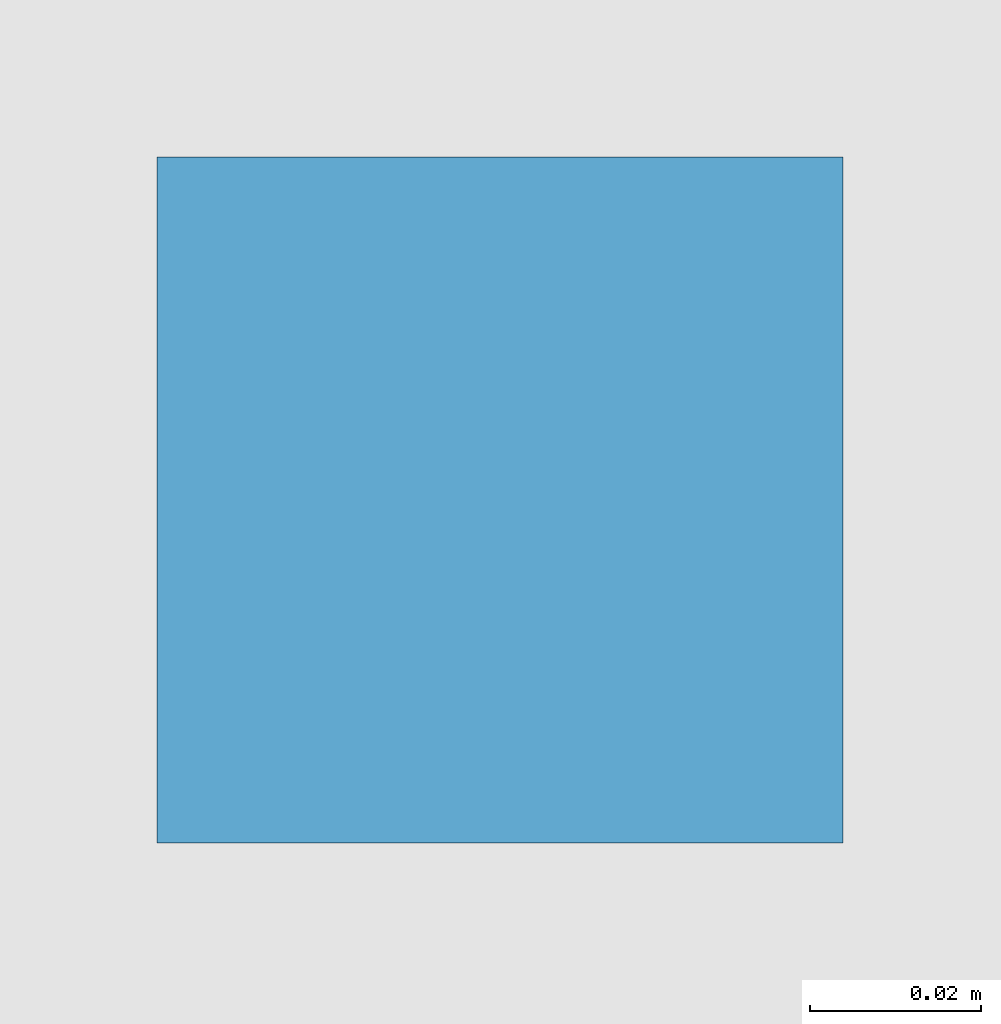
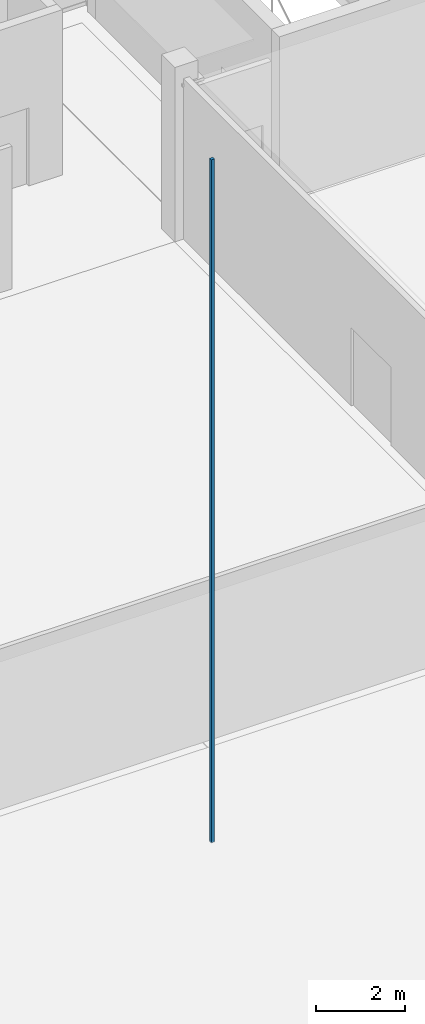
# One storey, part 90 of 116: 1 discrete accessory.
"""IFC4 building model written with IfcOpenShell, lengths in metres."""

import ifcopenshell
import ifcopenshell.guid

model = None  # the IFC model being written
_history = None  # IfcOwnerHistory: only IFC2X3 demands one
_inside = {}  # id of a spatial element -> (the spatial element, [elements in it])
_under = {}  # id of a project, library or spatial element -> (it, [spatial elements below it])
_declared = {}  # id of a project -> (the project, [libraries it declares])
_typed = {}  # id of a type object -> (the type object, [elements of that type])
_made_of = {}  # id of a material, layer set ... -> (it, [elements and type objects made of it])


def new_model(schema):
    """Start an empty IFC model of exactly this schema.

    Asked for "IFC4X3", IfcOpenShell would pick the latest addendum, in which some entities
    have other attributes; the version numbers below select the first issue.
    IFC2X3 requires an IfcOwnerHistory on every rooted entity: one is made here for all.
    """
    global model, _history
    if schema == "IFC4X3":
        model = ifcopenshell.file(schema_version=(4, 3, 0, 0))
    else:
        model = ifcopenshell.file(schema=schema)
    _inside.clear()
    _under.clear()
    _declared.clear()
    _typed.clear()
    _made_of.clear()
    _history = None
    if model.schema == "IFC2X3":
        org = make("IfcOrganization", Name="unknown")
        user = make(
            "IfcPersonAndOrganization",
            ThePerson=make("IfcPerson", FamilyName="unknown"),
            TheOrganization=org,
        )
        app = make(
            "IfcApplication",
            ApplicationDeveloper=org,
            Version="unknown",
            ApplicationFullName="unknown",
            ApplicationIdentifier="unknown",
        )
        _history = make(
            "IfcOwnerHistory",
            OwningUser=user,
            OwningApplication=app,
            ChangeAction="ADDED",
            CreationDate=0,
        )
    return model


def make(cls, **values):
    """One entity of the class cls with the attributes given. An attribute that is None is left unset."""
    return model.create_entity(
        cls, **{name: value for name, value in values.items() if value is not None}
    )


def rooted(cls, **values):
    """An entity with a GlobalId (a new one), such as an element, a storey or a relation."""
    return make(cls, GlobalId=ifcopenshell.guid.new(), OwnerHistory=_history, **values)


def si_unit(unit_type, name, prefix=None):
    """IfcSIUnit, for example si_unit("LENGTHUNIT", "METRE", prefix="MILLI")."""
    return make("IfcSIUnit", UnitType=unit_type, Prefix=prefix, Name=name)


def assignment(units):
    """IfcUnitAssignment: the units of a project."""
    return None if units is None else make("IfcUnitAssignment", Units=units)


def point(xyz):
    """IfcCartesianPoint."""
    return None if xyz is None else make("IfcCartesianPoint", Coordinates=xyz)


def direction(xyz):
    """IfcDirection."""
    return None if xyz is None else make("IfcDirection", DirectionRatios=xyz)


def frame(location, z_axis=None, x_axis=None):
    """IfcAxis2Placement3D, a coordinate frame: its origin and axes. An axis left out is left unset."""
    return make(
        "IfcAxis2Placement3D",
        Location=point(location),
        Axis=direction(z_axis),
        RefDirection=direction(x_axis),
    )


def frame_2d(location, x_axis=None):
    """IfcAxis2Placement2D, a coordinate frame in the plane: its origin and x axis."""
    return make(
        "IfcAxis2Placement2D", Location=point(location), RefDirection=direction(x_axis)
    )


def origin():
    """The frame at (0, 0, 0) with its axes left unset."""
    return frame((0.0, 0.0, 0.0))


def origin_2d():
    """The frame at (0, 0) in the plane with its x axis left unset."""
    return frame_2d((0.0, 0.0))


def place(relative_to, where):
    """IfcLocalPlacement: puts the frame where relative to a parent placement (None: the world)."""
    return make(
        "IfcLocalPlacement", PlacementRelTo=relative_to, RelativePlacement=where
    )


def context(
    kind, dimensions, precision=None, world=None, true_north=None, identifier=None
):
    """IfcGeometricRepresentationContext, for example the 3D "Model" context."""
    return make(
        "IfcGeometricRepresentationContext",
        ContextIdentifier=identifier,
        ContextType=kind,
        CoordinateSpaceDimension=dimensions,
        Precision=precision,
        WorldCoordinateSystem=world,
        TrueNorth=true_north,
    )


def subcontext(parent, identifier, kind, view, scale=None):
    """IfcGeometricRepresentationSubContext, for example "Body" below "Model"."""
    return make(
        "IfcGeometricRepresentationSubContext",
        ContextIdentifier=identifier,
        ContextType=kind,
        ParentContext=parent,
        TargetScale=scale,
        TargetView=view,
    )


def project(units=None, contexts=None):
    """IfcProject with its units and contexts."""
    return rooted(
        "IfcProject",
        Name="project",
        RepresentationContexts=contexts,
        UnitsInContext=assignment(units),
    )


def spatial(cls, under=None, at=None, **own):
    """A site, building, storey or space (cls), placed at a placement, below another one or the project."""
    s = rooted(cls, ObjectPlacement=at, **own)
    if under is not None:
        _under.setdefault(under.id(), (under, []))[1].append(s)
    return s


def profile(cls, at=None, kind="AREA", **sizes):
    """A parametric profile (cls). Its sizes go by their IFC names, for example OverallWidth=200.0."""
    return make(cls, ProfileType=kind, Position=at, **sizes)


def rectangle(**sizes):
    """IfcRectangleProfileDef."""
    return profile("IfcRectangleProfileDef", **sizes)


def extrude(swept, where, along, depth):
    """IfcExtrudedAreaSolid: the profile swept, set in the frame where, extruded along a direction by depth."""
    return make(
        "IfcExtrudedAreaSolid",
        SweptArea=swept,
        Position=where,
        ExtrudedDirection=direction(along),
        Depth=depth,
    )


def shape(context_of_items, identifier, shape_type, items):
    """IfcShapeRepresentation: the items that make up one representation, for example the "Body"."""
    return make(
        "IfcShapeRepresentation",
        ContextOfItems=context_of_items,
        RepresentationIdentifier=identifier,
        RepresentationType=shape_type,
        Items=items,
    )


def material(Name=None, Category=None):
    """IfcMaterial."""
    return make("IfcMaterial", Name=Name, Category=Category)


def made_of(thing, what):
    """Note that an element or type object is made of a material, layer set ...; save() writes the relation."""
    if what is not None:
        _made_of.setdefault(what.id(), (what, []))[1].append(thing)
    return thing


def type_object(cls, material=None, **own):
    """A type object (cls), such as IfcWallType, which elements share."""
    return made_of(rooted(cls, **own), material)


def element(
    cls,
    number,
    at=None,
    inside=None,
    cuts=None,
    type_object=None,
    material=None,
    context=None,
    identifier="Body",
    shape_type=None,
    held_by="IfcProductDefinitionShape",
    body=None,
    shapes=None,
    **own,
):
    """One element of the class cls, such as IfcWall. Its Tag is "e" and its number.

    at: its placement. inside: the storey or other place that contains it. cuts: it is an
    opening in that element (IfcRelVoidsElement). A single representation is given by context,
    identifier, shape_type and body (its items); several are given by shapes. held_by: the class
    of the entity that holds the representations. save() writes the other relations.
    """
    e = rooted(cls, Tag="e%d" % number, ObjectPlacement=at, **own)
    if body is not None:
        shapes = [shape(context, identifier, shape_type, body)]
    if shapes is not None:
        e.Representation = make(held_by, Representations=shapes)
    if inside is not None:
        _inside.setdefault(inside.id(), (inside, []))[1].append(e)
    if cuts is not None:
        rooted(
            "IfcRelVoidsElement", RelatingBuildingElement=cuts, RelatedOpeningElement=e
        )
    if type_object is not None:
        _typed.setdefault(type_object.id(), (type_object, []))[1].append(e)
    return made_of(e, material)


def aggregate(whole, parts):
    """IfcRelAggregates: a whole, such as a stair, and the parts it consists of."""
    return rooted("IfcRelAggregates", RelatingObject=whole, RelatedObjects=parts)


def save(model, path):
    """Write the relations noted so far, then the file.

    IfcRelAggregates (storeys below a building ...), IfcRelContainedInSpatialStructure (elements
    in a storey), IfcRelDefinesByType, IfcRelAssociatesMaterial and IfcRelDeclares: one each for
    every whole, place, type object, material and project.
    """
    for whole, parts in _under.values():
        aggregate(whole, parts)
    for where, things in _inside.values():
        rooted(
            "IfcRelContainedInSpatialStructure",
            RelatedElements=things,
            RelatingStructure=where,
        )
    for kind, things in _typed.values():
        rooted("IfcRelDefinesByType", RelatedObjects=things, RelatingType=kind)
    for what, things in _made_of.values():
        rooted("IfcRelAssociatesMaterial", RelatedObjects=things, RelatingMaterial=what)
    for by, libraries in _declared.values():
        rooted("IfcRelDeclares", RelatingContext=by, RelatedDefinitions=libraries)
    model.write(path)


model = new_model("IFC4")

# Units and contexts
model_context = context("Model", 3, precision=1e-05, world=origin(), true_north=direction((0.0, 1.0)))
body_context = subcontext(model_context, "Body", "Model", "MODEL_VIEW")
ifc_project = project(units=[si_unit("LENGTHUNIT", "METRE"), si_unit("AREAUNIT", "SQUARE_METRE"), si_unit("VOLUMEUNIT", "CUBIC_METRE"), si_unit("PLANEANGLEUNIT", "RADIAN"), si_unit("MASSUNIT", "GRAM", prefix="KILO")], contexts=[model_context])

# Site, building, storey
site_placement = place(None, origin())
site = spatial("IfcSite", under=ifc_project, at=site_placement, CompositionType="ELEMENT")
building_placement = place(site_placement, origin())
building = spatial("IfcBuilding", under=site, at=building_placement, Name="Chalmorin Arch Market", CompositionType="ELEMENT")
storey_placement = place(building_placement, origin())
storey = spatial("IfcBuildingStorey", under=building, at=storey_placement, Name="L00", CompositionType="ELEMENT", Elevation=0.0)

# Discrete accessory
ifc_material = material(Name="Galvanized Cold-Formed Steel", Category="steel")
discrete_accessory_type = type_object("IfcDiscreteAccessoryType", Name="CeilingSuspensionBracket-80x80", PredefinedType="BRACKET", material=ifc_material)
discrete_accessory_placement = place(storey_placement, frame((100.800048828125, 23.60009765625, 4.2529296875), z_axis=(0.0, 0.0, 1.0), x_axis=(1.0, 0.0, 0.0)))
element("IfcDiscreteAccessory", 1, at=discrete_accessory_placement, inside=storey, type_object=discrete_accessory_type, Name="CSB-058", PredefinedType="BRACKET", context=body_context, shape_type="SweptSolid", body=[
    extrude(rectangle(XDim=0.080078125, YDim=0.080078125, at=origin_2d()), origin(), (0.0, 0.0, 1.0), 18.806396484375),
])

save(model, "model.ifc")
